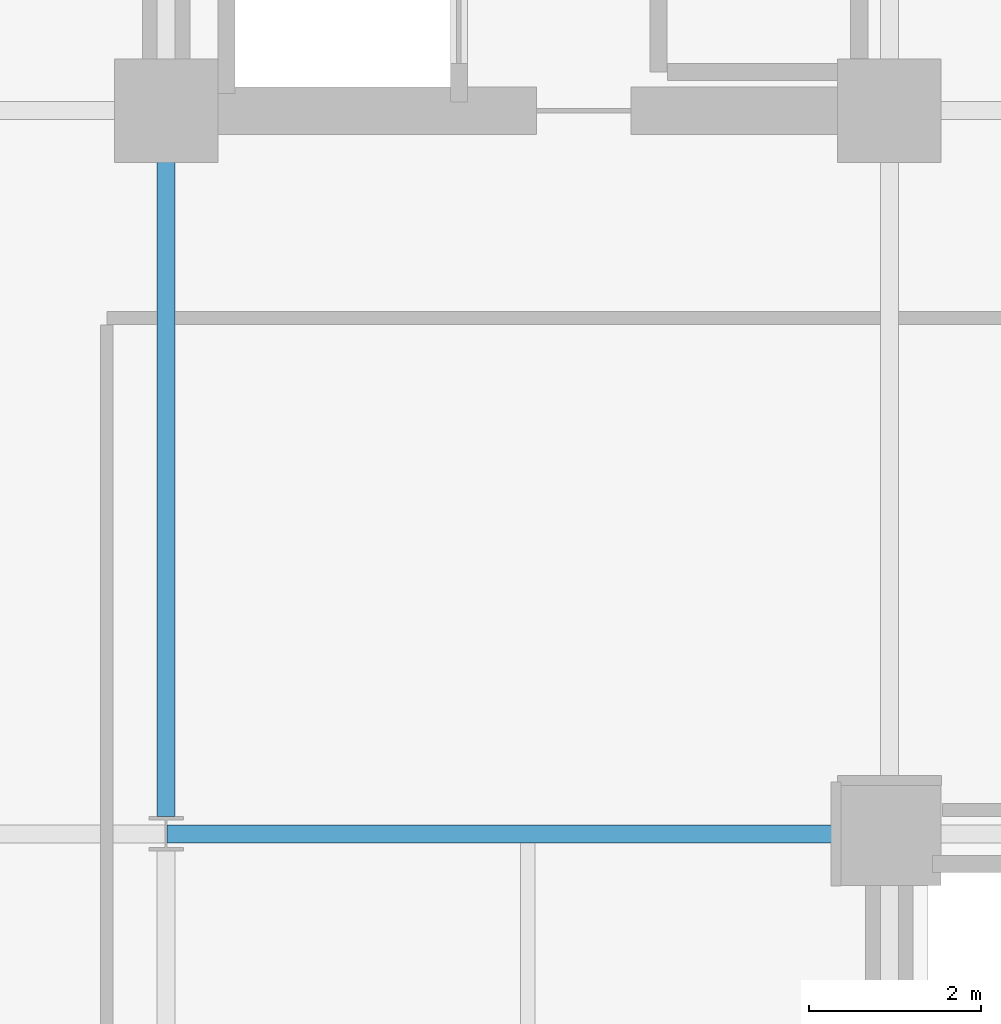
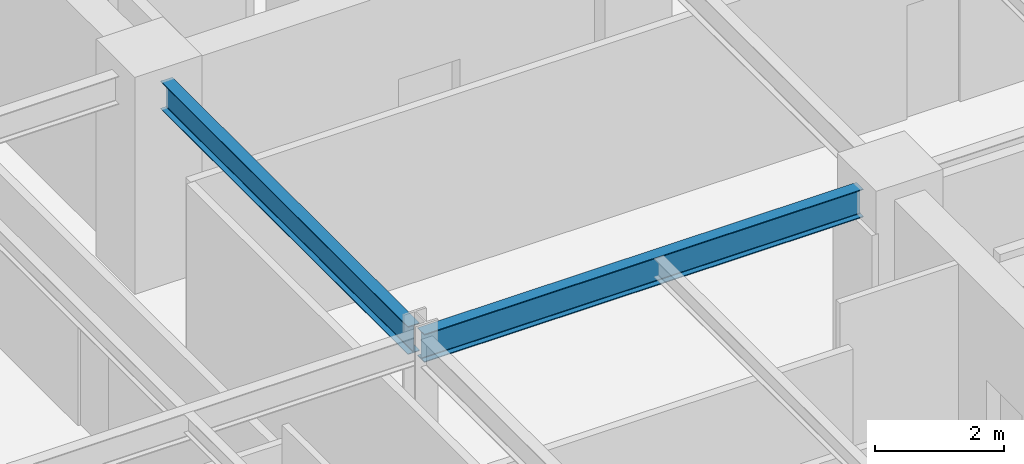
# One storey, part 9 of 29: 2 beams.
"""IFC4 building model written with IfcOpenShell, lengths in metres."""

from ifc_helpers import new_model, si_unit, direction, frame, origin, origin_2d, place, context, subcontext, project, spatial, i_section, extrude, material, material_profile, profile_set, type_object, element, save


model = new_model("IFC4")

# Units and contexts
model_context = context("Model", 3, precision=1e-05, world=origin(), true_north=direction((0.0, 1.0)))
body_context = subcontext(model_context, "Body", "Model", "MODEL_VIEW")
ifc_project = project(units=[si_unit("LENGTHUNIT", "METRE"), si_unit("AREAUNIT", "SQUARE_METRE"), si_unit("VOLUMEUNIT", "CUBIC_METRE"), si_unit("PLANEANGLEUNIT", "RADIAN"), si_unit("MASSUNIT", "GRAM", prefix="KILO")], contexts=[model_context])

# Site, building, storey
site_placement = place(None, origin())
site = spatial("IfcSite", under=ifc_project, at=site_placement, CompositionType="ELEMENT")
building_placement = place(site_placement, origin())
building = spatial("IfcBuilding", under=site, at=building_placement, Name="Nerrivon Quay Data Exchange", CompositionType="ELEMENT")
storey_placement = place(building_placement, frame((0.0, 0.0, 133.60009765625)))
storey = spatial("IfcBuildingStorey", under=building, at=storey_placement, Name="L31", CompositionType="ELEMENT", Elevation=133.60009765625)

# Beams
ifc_material = material(Name="Steel Grade 350", Category="steel")
ifc_material_profile_1 = material_profile(ifc_material, i_section(OverallWidth=0.208984375, OverallDepth=0.532958984375, WebThickness=0.01025390625, FlangeThickness=0.015625, FilletRadius=0.013916015625, at=origin_2d()), Name="530UB92.4")
ifc_profile_set_1 = profile_set([ifc_material_profile_1], Name="Steel Grade 350")
beam_type_1 = type_object("IfcBeamType", Name="BM-G3-530UB92", PredefinedType="BEAM", material=ifc_profile_set_1)
beam_1_placement = place(storey_placement, frame((8.41259765625, 16.800048828125, 3.558349609375), z_axis=(1.0, 0.0, 0.0), x_axis=(0.0, 1.0, 0.0)))
element("IfcBeam", 1, at=beam_1_placement, inside=storey, type_object=beam_type_1, Name="L31 EW Girder Y=16.8 (8.4..16.8)", PredefinedType="BEAM", context=body_context, shape_type="SweptSolid", body=[
    extrude(i_section(OverallWidth=0.208984375, OverallDepth=0.532958984375, WebThickness=0.01025390625, FlangeThickness=0.015625, FilletRadius=0.013916015625, at=origin_2d()), origin(), (0.0, 0.0, 1.0), 7.847412109375),
])
ifc_material_profile_2 = material_profile(ifc_material, i_section(OverallWidth=0.208984375, OverallDepth=0.528076171875, WebThickness=0.009521484375, FlangeThickness=0.01318359375, FilletRadius=0.013916015625, at=origin_2d()), Name="530UB82.0")
ifc_profile_set_2 = profile_set([ifc_material_profile_2], Name="Steel Grade 350")
beam_type_2 = type_object("IfcBeamType", Name="BM-G4-530UB82", PredefinedType="BEAM", material=ifc_profile_set_2)
beam_2_placement = place(storey_placement, frame((8.39990234375, 17.0, 3.560791015625), z_axis=(0.0, 1.0, 0.0), x_axis=(-1.0, 0.0, 0.0)))
element("IfcBeam", 2, at=beam_2_placement, inside=storey, type_object=beam_type_2, Name="L31 NS Girder X=8.4 (16.8..25.2)", PredefinedType="BEAM", context=body_context, shape_type="SweptSolid", body=[
    extrude(i_section(OverallWidth=0.208984375, OverallDepth=0.528076171875, WebThickness=0.009521484375, FlangeThickness=0.01318359375, FilletRadius=0.013916015625, at=origin_2d()), origin(), (0.0, 0.0, 1.0), 7.659912109375),
])

save(model, "model.ifc")
